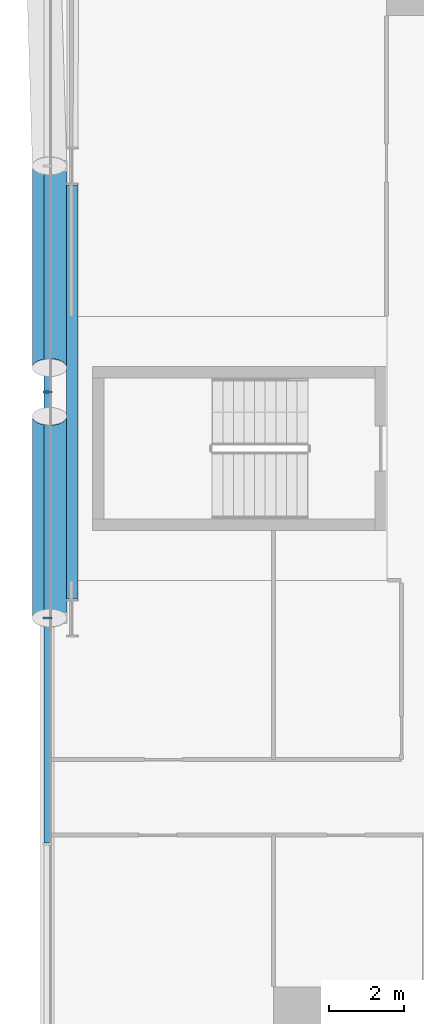
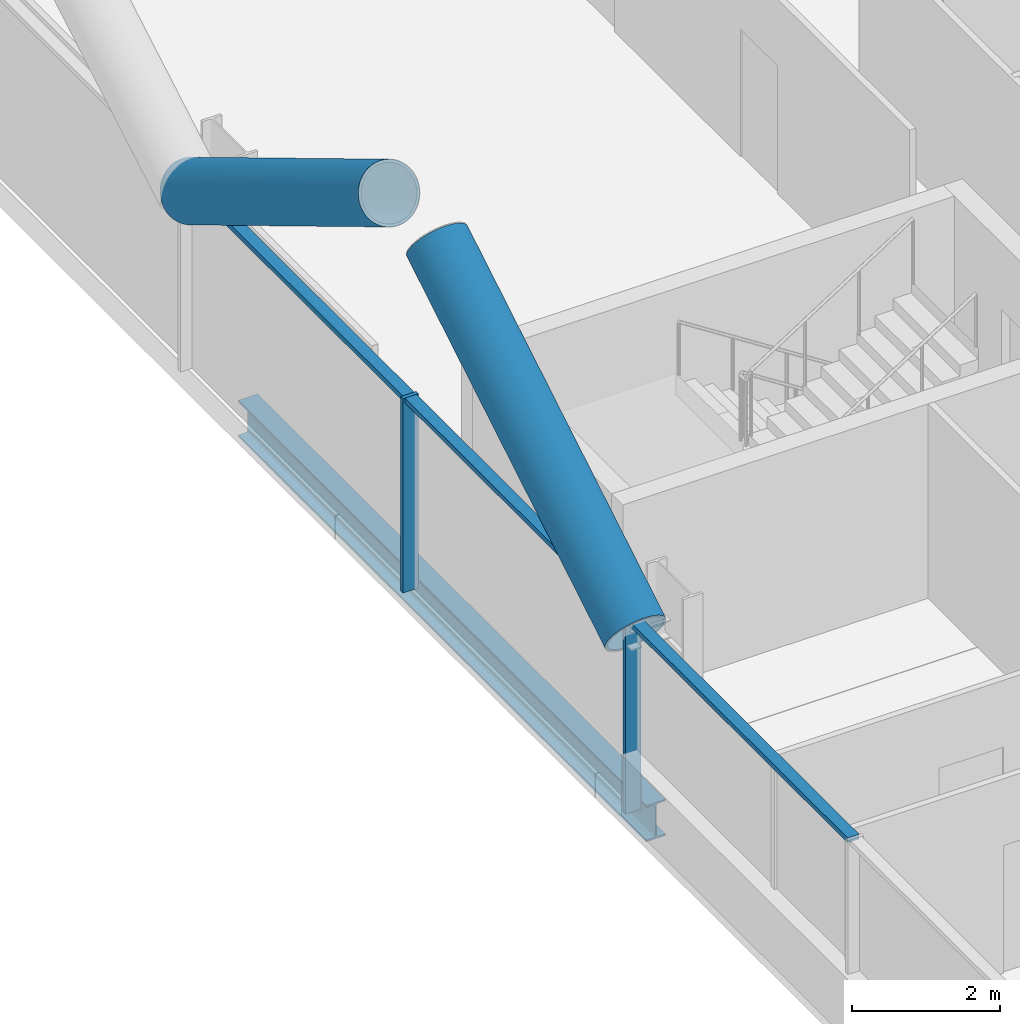
# One storey, part 5 of 27: 7 members, 1 beam, 1 element without a shape of its own.
"""IFC4 building model written with IfcOpenShell, lengths in metres."""

from ifc_helpers import new_model, si_unit, direction, frame, origin, origin_2d, place, context, subcontext, project, spatial, rectangle, hollow_circle, i_section, extrude, material, material_profile, profile_set, type_object, element, aggregate, save


model = new_model("IFC4")

# Units and contexts
model_context = context("Model", 3, precision=1e-05, world=origin(), true_north=direction((0.0, 1.0)))
body_context = subcontext(model_context, "Body", "Model", "MODEL_VIEW")
ifc_project = project(units=[si_unit("LENGTHUNIT", "METRE"), si_unit("AREAUNIT", "SQUARE_METRE"), si_unit("VOLUMEUNIT", "CUBIC_METRE"), si_unit("PLANEANGLEUNIT", "RADIAN"), si_unit("MASSUNIT", "GRAM", prefix="KILO")], contexts=[model_context])

# Site, building, storey
site_placement = place(None, origin())
site = spatial("IfcSite", under=ifc_project, at=site_placement, CompositionType="ELEMENT")
building_placement = place(site_placement, origin())
building = spatial("IfcBuilding", under=site, at=building_placement, Name="Wharfspan Tower", CompositionType="ELEMENT")
storey_placement = place(building_placement, frame((0.0, 0.0, 45.100098)))
storey = spatial("IfcBuildingStorey", under=building, at=storey_placement, Name="L07", CompositionType="ELEMENT", Elevation=45.100098)

# Beam
ifc_material_1 = material(Name="Steel S355J2", Category="steel")
ifc_material_profile_1 = material_profile(ifc_material_1, i_section(OverallWidth=0.300049, OverallDepth=0.600098, WebThickness=0.015381, FlangeThickness=0.030029, FilletRadius=0.0271, at=origin_2d()))
ifc_profile_set_1 = profile_set([ifc_material_profile_1], Name="Steel S355J2")
beam_type = type_object("IfcBeamType", Name="Edge beam HEB 600", PredefinedType="SPANDREL", material=ifc_profile_set_1)
beam_placement = place(storey_placement, frame((0.659912, 29.5, -0.700195), z_axis=(0.0, -1.0, 0.0), x_axis=(1.0, 0.0, 0.0)))
element("IfcBeam", 1, at=beam_placement, inside=storey, type_object=beam_type, Name="Edge beam W L07 PW.1 to PW.2", PredefinedType="SPANDREL", context=body_context, shape_type="SweptSolid", body=[
    extrude(i_section(OverallWidth=0.300049, OverallDepth=0.600098, WebThickness=0.015381, FlangeThickness=0.030029, FilletRadius=0.0271, at=origin_2d()), origin(), (0.0, 0.0, 1.0), 11.0),
])

# Curtain wall, members
ifc_material_2 = material(Name="Aluminium 6063-T6", Category="aluminium")
curtain_wall_type = type_object("IfcCurtainWallType", Name="CURTAIN WALL PROW AND END", PredefinedType="NOTDEFINED", material=ifc_material_2)
curtain_wall_placement = place(storey_placement, origin())
curtain_wall = element("IfcCurtainWall", 2, at=curtain_wall_placement, inside=storey, type_object=curtain_wall_type, Name="Curtain wall W", PredefinedType="NOTDEFINED")
ifc_material_profile_2 = material_profile(ifc_material_2, rectangle(XDim=0.23999, YDim=0.060059, at=origin_2d()))
ifc_profile_set_2 = profile_set([ifc_material_profile_2], Name="Aluminium 6063-T6")
member_type_1 = type_object("IfcMemberType", Name="MULLION PROW AND END 60x240", PredefinedType="MULLION", material=ifc_profile_set_2)
member_1_placement = place(storey_placement, frame((0.0, 24.0, 0.0), z_axis=(0.0, 0.0, 1.0), x_axis=(1.0, 0.0, 0.0)))
member_1 = element("IfcMember", 3, at=member_1_placement, type_object=member_type_1, Name="Curtain wall W mullion 4", PredefinedType="MULLION", context=body_context, shape_type="SweptSolid", body=[
    extrude(rectangle(XDim=0.23999, YDim=0.060059, at=origin_2d()), origin(), (0.0, 0.0, 1.0), 3.199951),
])
member_2_placement = place(storey_placement, frame((0.0, 18.0, 0.0), z_axis=(0.0, 0.0, 1.0), x_axis=(1.0, 0.0, 0.0)))
member_2 = element("IfcMember", 4, at=member_2_placement, type_object=member_type_1, Name="Curtain wall W mullion 5", PredefinedType="MULLION", context=body_context, shape_type="SweptSolid", body=[
    extrude(rectangle(XDim=0.23999, YDim=0.060059, at=origin_2d()), origin(), (0.0, 0.0, 1.0), 3.199951),
])

# Members
ifc_material_3 = material(Name="Steel S460NH", Category="steel")
ifc_material_profile_3 = material_profile(ifc_material_3, hollow_circle(Radius=0.457031, WallThickness=0.040039, at=origin_2d()))
ifc_profile_set_3 = profile_set([ifc_material_profile_3], Name="Steel S460NH")
member_type_2 = type_object("IfcMemberType", Name="Mega brace CHS 914x40", PredefinedType="BRACE", material=ifc_profile_set_3)
for number, where, z_axis, x_axis, name in (
    (5, (0.054932, 30.0, 2.899902), (0.0, -0.857483, 0.514513), (1.0, 0.0, 0.0), "Mega brace W3 L08 part 1"),
    (6, (0.054932, 18.0, 2.899902), (0.0, 0.857483, 0.514513), (-1.0, 0.0, 0.0), "Mega brace W3 L08 part 3"),
):
    element("IfcMember", number, at=place(storey_placement, frame(where, z_axis=z_axis, x_axis=x_axis)), inside=storey, type_object=member_type_2, Name=name, PredefinedType="BRACE", context=body_context, shape_type="SweptSolid", body=[
        extrude(hollow_circle(Radius=0.457031, WallThickness=0.040039, at=origin_2d()), origin(), (0.0, 0.0, 1.0), 6.239258),
    ])

# Member
ifc_material_profile_4 = material_profile(ifc_material_2, rectangle(XDim=0.179932, YDim=0.080078, at=origin_2d()))
ifc_profile_set_4 = profile_set([ifc_material_profile_4], Name="Aluminium 6063-T6")
member_type_3 = type_object("IfcMemberType", Name="TRANSOM PROW AND END 80x180", PredefinedType="USERDEFINED", material=ifc_profile_set_4)
member_3_placement = place(storey_placement, frame((0.0, 29.969971, 3.159912), z_axis=(0.0, -1.0, 0.0), x_axis=(1.0, 0.0, 0.0)))
member_3 = element("IfcMember", 7, at=member_3_placement, type_object=member_type_3, Name="Curtain wall W transom 3", ObjectType="TRANSOM", PredefinedType="USERDEFINED", context=body_context, shape_type="SweptSolid", body=[
    extrude(rectangle(XDim=0.179932, YDim=0.080078, at=origin_2d()), origin(), (0.0, 0.0, 1.0), 5.939941),
])

member_4_placement = place(storey_placement, frame((0.0, 23.969971, 3.159912), z_axis=(0.0, -1.0, 0.0), x_axis=(1.0, 0.0, 0.0)))
member_4 = element("IfcMember", 8, at=member_4_placement, type_object=member_type_3, Name="Curtain wall W transom 4", ObjectType="TRANSOM", PredefinedType="USERDEFINED", context=body_context, shape_type="SweptSolid", body=[
    extrude(rectangle(XDim=0.179932, YDim=0.080078, at=origin_2d()), origin(), (0.0, 0.0, 1.0), 5.939941),
])

member_5_placement = place(storey_placement, frame((0.0, 17.969971, 3.159912), z_axis=(0.0, -1.0, 0.0), x_axis=(1.0, 0.0, 0.0)))
member_5 = element("IfcMember", 9, at=member_5_placement, type_object=member_type_3, Name="Curtain wall W transom 5", ObjectType="TRANSOM", PredefinedType="USERDEFINED", context=body_context, shape_type="SweptSolid", body=[
    extrude(rectangle(XDim=0.179932, YDim=0.080078, at=origin_2d()), origin(), (0.0, 0.0, 1.0), 5.939941),
])

aggregate(curtain_wall, [member_1, member_2, member_3, member_4, member_5])

save(model, "model.ifc")
